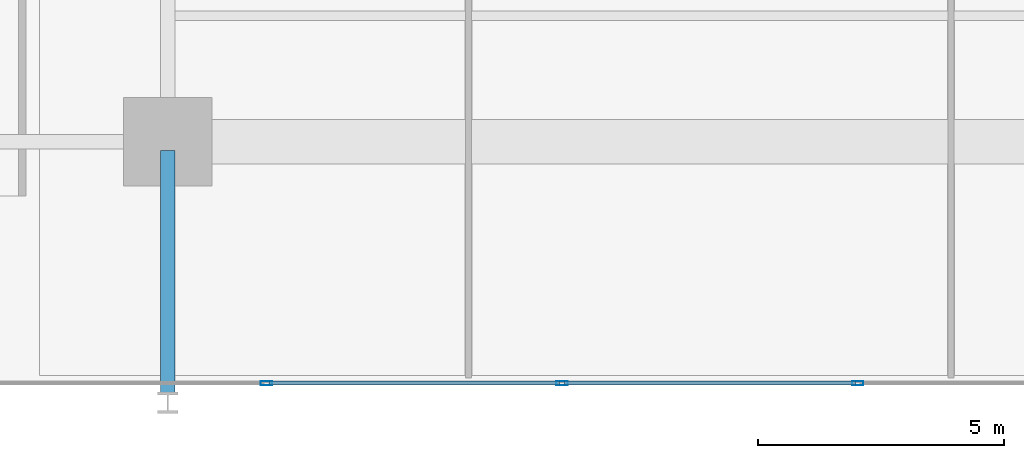
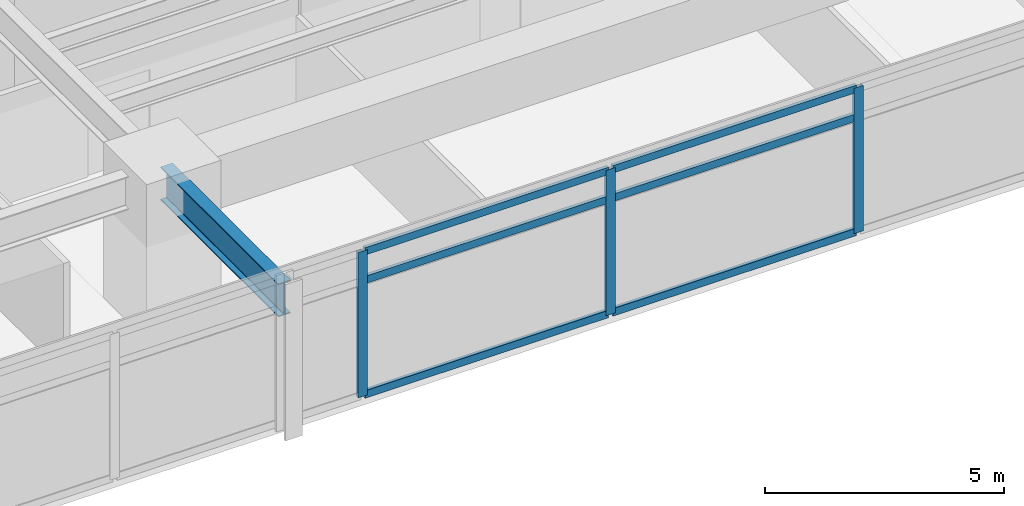
# One storey, part 4 of 21: 9 members, 1 beam, 1 element without a shape of its own.
"""IFC4 building model written with IfcOpenShell, lengths in metres."""

from ifc_helpers import new_model, si_unit, direction, frame, origin, origin_2d, place, context, subcontext, project, spatial, hollow_rectangle, i_section, extrude, material, material_profile, profile_set, type_object, element, aggregate, save


model = new_model("IFC4")

# Units and contexts
model_context = context("Model", 3, precision=1e-05, world=origin(), true_north=direction((0.0, 1.0)))
body_context = subcontext(model_context, "Body", "Model", "MODEL_VIEW")
ifc_project = project(units=[si_unit("LENGTHUNIT", "METRE"), si_unit("AREAUNIT", "SQUARE_METRE"), si_unit("VOLUMEUNIT", "CUBIC_METRE"), si_unit("PLANEANGLEUNIT", "RADIAN"), si_unit("MASSUNIT", "GRAM", prefix="KILO")], contexts=[model_context])

# Site, building, storey
site_placement = place(None, origin())
site = spatial("IfcSite", under=ifc_project, at=site_placement, CompositionType="ELEMENT")
building_placement = place(site_placement, origin())
building = spatial("IfcBuilding", under=site, at=building_placement, Name="Kovane Verandah Tower", CompositionType="ELEMENT")
storey_placement = place(building_placement, frame((0.0, 0.0, 27.60009765625)))
storey = spatial("IfcBuildingStorey", under=building, at=storey_placement, Name="L05", CompositionType="ELEMENT", Elevation=27.60009765625)

# Beam
ifc_material_1 = material(Name="Steel S355", Category="steel")
ifc_material_profile_1 = material_profile(ifc_material_1, i_section(OverallWidth=0.293701171875, OverallDepth=0.850830078125, WebThickness=0.01611328125, FlangeThickness=0.02685546875, FilletRadius=0.017822265625, at=origin_2d()), Name="UB838x292x226")
ifc_profile_set_1 = profile_set([ifc_material_profile_1], Name="Steel S355")
beam_type = type_object("IfcBeamType", Name="BM-UB838x226", PredefinedType="BEAM", material=ifc_profile_set_1)
beam_placement = place(storey_placement, frame((29.0, 10.6201171875, 3.33447265625), z_axis=(0.0, -1.0, 0.0), x_axis=(1.0, 0.0, 0.0)))
element("IfcBeam", 1, at=beam_placement, inside=storey, type_object=beam_type, Name="L05 Primary Tower Girder G-VS1", PredefinedType="BEAM", context=body_context, shape_type="SweptSolid", body=[
    extrude(i_section(OverallWidth=0.293701171875, OverallDepth=0.850830078125, WebThickness=0.01611328125, FlangeThickness=0.02685546875, FilletRadius=0.017822265625, at=origin_2d()), origin(), (0.0, 0.0, 1.0), 4.940185546875),
])

# Curtain wall, members
ifc_material_2 = material(Name="Champagne Anodised Aluminium Frame with Low-E Clear Laminated Glass", Category="aluminium")
curtain_wall_type = type_object("IfcCurtainWallType", Name="CW-SYS-02-LOW", PredefinedType="NOTDEFINED", material=ifc_material_2)
curtain_wall_placement = place(storey_placement, origin())
curtain_wall = element("IfcCurtainWall", 2, at=curtain_wall_placement, inside=storey, type_object=curtain_wall_type, Name="L05 S Unitised Curtain Wall", PredefinedType="NOTDEFINED")
ifc_material_3 = material(Name="Champagne Anodised Aluminium 6063-T6", Category="aluminium")
ifc_material_profile_2 = material_profile(ifc_material_3, hollow_rectangle(XDim=0.0849609375, YDim=0.22998046875, WallThickness=0.00390625, at=origin_2d()), Name="AL85x230x4")
ifc_profile_set_2 = profile_set([ifc_material_profile_2], Name="Champagne Anodised Aluminium 6063-T6")
member_type_1 = type_object("IfcMemberType", Name="CW-MUL-85x230", PredefinedType="MULLION", material=ifc_profile_set_2)
member_1_placement = place(storey_placement, frame((31.0, 5.89990234375, 0.02001953125), z_axis=(0.0, 0.0, 1.0), x_axis=(0.0, -1.0, 0.0)))
member_1 = element("IfcMember", 3, at=member_1_placement, type_object=member_type_1, Name="L05 S Unitised Curtain Wall Mullion 3", PredefinedType="MULLION", context=body_context, shape_type="SweptSolid", body=[
    extrude(hollow_rectangle(XDim=0.0849609375, YDim=0.22998046875, WallThickness=0.00390625, at=origin_2d()), origin(), (0.0, 0.0, 1.0), 3.719970703125),
])
member_2_placement = place(storey_placement, frame((37.0, 5.89990234375, 0.02001953125), z_axis=(0.0, 0.0, 1.0), x_axis=(0.0, -1.0, 0.0)))
member_2 = element("IfcMember", 4, at=member_2_placement, type_object=member_type_1, Name="L05 S Unitised Curtain Wall Mullion 4", PredefinedType="MULLION", context=body_context, shape_type="SweptSolid", body=[
    extrude(hollow_rectangle(XDim=0.0849609375, YDim=0.22998046875, WallThickness=0.00390625, at=origin_2d()), origin(), (0.0, 0.0, 1.0), 3.719970703125),
])
member_3_placement = place(storey_placement, frame((43.0, 5.89990234375, 0.02001953125), z_axis=(0.0, 0.0, 1.0), x_axis=(0.0, -1.0, 0.0)))
member_3 = element("IfcMember", 5, at=member_3_placement, type_object=member_type_1, Name="L05 S Unitised Curtain Wall Mullion 5", PredefinedType="MULLION", context=body_context, shape_type="SweptSolid", body=[
    extrude(hollow_rectangle(XDim=0.0849609375, YDim=0.22998046875, WallThickness=0.00390625, at=origin_2d()), origin(), (0.0, 0.0, 1.0), 3.719970703125),
])
ifc_material_profile_3 = material_profile(ifc_material_3, hollow_rectangle(XDim=0.0849609375, YDim=0.18994140625, WallThickness=0.00390625, at=origin_2d()), Name="AL85x190x4")
ifc_profile_set_3 = profile_set([ifc_material_profile_3], Name="Champagne Anodised Aluminium 6063-T6")
member_type_2 = type_object("IfcMemberType", Name="CW-TRN-85x190", PredefinedType="USERDEFINED", material=ifc_profile_set_3)
member_4_placement = place(storey_placement, frame((31.050048828125, 5.89990234375, 0.0498046875), z_axis=(1.0, 0.0, 0.0), x_axis=(0.0, 1.0, 0.0)))
member_4 = element("IfcMember", 6, at=member_4_placement, type_object=member_type_2, Name="L05 S Unitised Curtain Wall Transom TB Bay 3", ObjectType="TRANSOM", PredefinedType="USERDEFINED", context=body_context, shape_type="SweptSolid", body=[
    extrude(hollow_rectangle(XDim=0.0849609375, YDim=0.18994140625, WallThickness=0.00390625, at=origin_2d()), origin(), (0.0, 0.0, 1.0), 5.89990234375),
])
member_5_placement = place(storey_placement, frame((31.050048828125, 5.89990234375, 2.97998046875), z_axis=(1.0, 0.0, 0.0), x_axis=(0.0, 1.0, 0.0)))
member_5 = element("IfcMember", 7, at=member_5_placement, type_object=member_type_2, Name="L05 S Unitised Curtain Wall Transom TM Bay 3", ObjectType="TRANSOM", PredefinedType="USERDEFINED", context=body_context, shape_type="SweptSolid", body=[
    extrude(hollow_rectangle(XDim=0.0849609375, YDim=0.18994140625, WallThickness=0.00390625, at=origin_2d()), origin(), (0.0, 0.0, 1.0), 5.89990234375),
])
member_6_placement = place(storey_placement, frame((31.050048828125, 5.89990234375, 3.7099609375), z_axis=(1.0, 0.0, 0.0), x_axis=(0.0, 1.0, 0.0)))
member_6 = element("IfcMember", 8, at=member_6_placement, type_object=member_type_2, Name="L05 S Unitised Curtain Wall Transom TT Bay 3", ObjectType="TRANSOM", PredefinedType="USERDEFINED", context=body_context, shape_type="SweptSolid", body=[
    extrude(hollow_rectangle(XDim=0.0849609375, YDim=0.18994140625, WallThickness=0.00390625, at=origin_2d()), origin(), (0.0, 0.0, 1.0), 5.89990234375),
])
member_7_placement = place(storey_placement, frame((37.050048828125, 5.89990234375, 0.0498046875), z_axis=(1.0, 0.0, 0.0), x_axis=(0.0, 1.0, 0.0)))
member_7 = element("IfcMember", 9, at=member_7_placement, type_object=member_type_2, Name="L05 S Unitised Curtain Wall Transom TB Bay 4", ObjectType="TRANSOM", PredefinedType="USERDEFINED", context=body_context, shape_type="SweptSolid", body=[
    extrude(hollow_rectangle(XDim=0.0849609375, YDim=0.18994140625, WallThickness=0.00390625, at=origin_2d()), origin(), (0.0, 0.0, 1.0), 5.89990234375),
])
member_8_placement = place(storey_placement, frame((37.050048828125, 5.89990234375, 2.97998046875), z_axis=(1.0, 0.0, 0.0), x_axis=(0.0, 1.0, 0.0)))
member_8 = element("IfcMember", 10, at=member_8_placement, type_object=member_type_2, Name="L05 S Unitised Curtain Wall Transom TM Bay 4", ObjectType="TRANSOM", PredefinedType="USERDEFINED", context=body_context, shape_type="SweptSolid", body=[
    extrude(hollow_rectangle(XDim=0.0849609375, YDim=0.18994140625, WallThickness=0.00390625, at=origin_2d()), origin(), (0.0, 0.0, 1.0), 5.89990234375),
])
member_9_placement = place(storey_placement, frame((37.050048828125, 5.89990234375, 3.7099609375), z_axis=(1.0, 0.0, 0.0), x_axis=(0.0, 1.0, 0.0)))
member_9 = element("IfcMember", 11, at=member_9_placement, type_object=member_type_2, Name="L05 S Unitised Curtain Wall Transom TT Bay 4", ObjectType="TRANSOM", PredefinedType="USERDEFINED", context=body_context, shape_type="SweptSolid", body=[
    extrude(hollow_rectangle(XDim=0.0849609375, YDim=0.18994140625, WallThickness=0.00390625, at=origin_2d()), origin(), (0.0, 0.0, 1.0), 5.89990234375),
])
aggregate(curtain_wall, [member_1, member_2, member_3, member_4, member_5, member_6, member_7, member_8, member_9])

save(model, "model.ifc")
